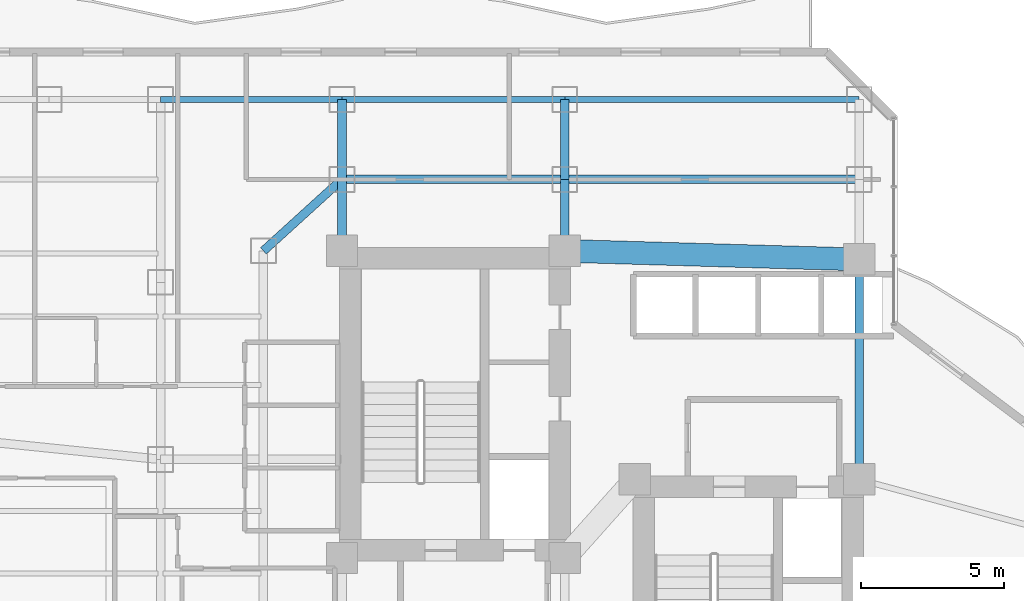
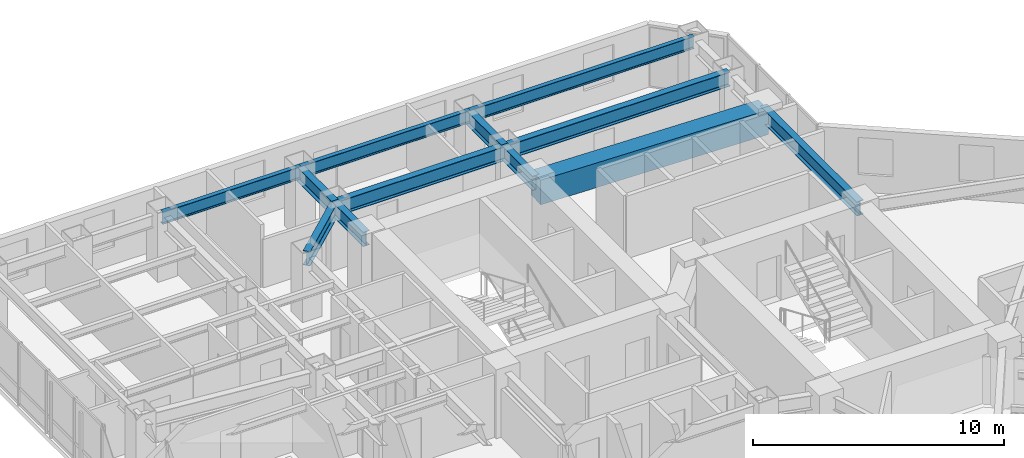
# One storey, part 24 of 36: 12 beams.
"""IFC4 building model written with IfcOpenShell, lengths in metres."""

from ifc_helpers import new_model, si_unit, direction, frame, origin, origin_2d, place, context, subcontext, project, spatial, rectangle, i_section, extrude, material, material_profile, profile_set, type_object, element, save


model = new_model("IFC4")

# Units and contexts
model_context = context("Model", 3, precision=1e-05, world=origin(), true_north=direction((0.0, 1.0)))
body_context = subcontext(model_context, "Body", "Model", "MODEL_VIEW")
ifc_project = project(units=[si_unit("LENGTHUNIT", "METRE"), si_unit("AREAUNIT", "SQUARE_METRE"), si_unit("VOLUMEUNIT", "CUBIC_METRE"), si_unit("PLANEANGLEUNIT", "RADIAN"), si_unit("MASSUNIT", "GRAM", prefix="KILO")], contexts=[model_context])

# Site, building, storey
site_placement = place(None, origin())
site = spatial("IfcSite", under=ifc_project, at=site_placement, CompositionType="ELEMENT")
building_placement = place(site_placement, origin())
building = spatial("IfcBuilding", under=site, at=building_placement, Name="Hatsunagi Terrace Concourse", CompositionType="ELEMENT")
storey_placement = place(building_placement, frame((0.0, 0.0, 88.0)))
storey = spatial("IfcBuildingStorey", under=building, at=storey_placement, Name="L23", CompositionType="ELEMENT", Elevation=88.0)

# Beams
ifc_material_1 = material(Name="Concrete Fc60", Category="concrete")
ifc_material_profile_1 = material_profile(ifc_material_1, rectangle(XDim=0.800048828125, YDim=1.199951171875, at=origin_2d()), Name="RC-800x1200")
ifc_profile_set_1 = profile_set([ifc_material_profile_1], Name="Concrete Fc60")
beam_type_1 = type_object("IfcBeamType", Name="CoreCouplingBeam_RC_800x1200", PredefinedType="BEAM", material=ifc_profile_set_1)
beam_1_placement = place(storey_placement, frame((33.35009765625, 43.300048828125, 2.449951171875), z_axis=(0.999575947545, -0.029119153303, 0.0), x_axis=(0.029119153303, 0.999575947545, 0.0)))
element("IfcBeam", 1, at=beam_1_placement, inside=storey, type_object=beam_type_1, Name="Beam CB-01 CB-L23-2", PredefinedType="BEAM", context=body_context, shape_type="SweptSolid", body=[
    extrude(rectangle(XDim=0.800048828125, YDim=1.199951171875, at=origin_2d()), origin(), (0.0, 0.0, 1.0), 10.30419921875),
])
ifc_material_2 = material(Name="Steel SN490B", Category="steel")
ifc_material_profile_2 = material_profile(ifc_material_2, i_section(OverallWidth=0.300048828125, OverallDepth=0.699951171875, WebThickness=0.012939453125, FlangeThickness=0.02392578125, FilletRadius=0.02197265625, at=origin_2d()), Name="H-700x300x13x24")
ifc_profile_set_2 = profile_set([ifc_material_profile_2], Name="Steel SN490B")
beam_type_2 = type_object("IfcBeamType", Name="HotelFloorGirder_H_700x300", PredefinedType="BEAM", material=ifc_profile_set_2)
beam_2_placement = place(storey_placement, frame((43.64990234375, 35.300048828125, 2.699951171875), z_axis=(0.0, 1.0, 0.0), x_axis=(-1.0, 0.0, 0.0)))
element("IfcBeam", 2, at=beam_2_placement, inside=storey, type_object=beam_type_2, Name="Beam G-04 BM-L23-CBK3", PredefinedType="BEAM", context=body_context, shape_type="SweptSolid", body=[
    extrude(i_section(OverallWidth=0.300048828125, OverallDepth=0.699951171875, WebThickness=0.012939453125, FlangeThickness=0.02392578125, FilletRadius=0.02197265625, at=origin_2d()), origin(), (0.0, 0.0, 1.0), 7.699951171875),
])
for number, where, z_axis, x_axis, name in (
    (3, (25.550048828125, 43.300048828125, 2.699951171875), (0.0, 1.0, 0.0), (-1.0, 0.0, 0.0), "Beam G-04 BM-L23-CN1"),
    (4, (33.35009765625, 43.300048828125, 2.699951171875), (0.0, 1.0, 0.0), (-1.0, 0.0, 0.0), "Beam G-04 BM-L23-CN2"),
):
    element("IfcBeam", number, at=place(storey_placement, frame(where, z_axis=z_axis, x_axis=x_axis)), inside=storey, type_object=beam_type_2, Name=name, PredefinedType="BEAM", context=body_context, shape_type="SweptSolid", body=[
        extrude(i_section(OverallWidth=0.300048828125, OverallDepth=0.699951171875, WebThickness=0.012939453125, FlangeThickness=0.02392578125, FilletRadius=0.02197265625, at=origin_2d()), origin(), (0.0, 0.0, 1.0), 2.5),
    ])
beam_3_placement = place(storey_placement, frame((25.550048828125, 45.800048828125, 2.699951171875), z_axis=(1.0, 0.0, 0.0), x_axis=(0.0, 1.0, 0.0)))
element("IfcBeam", 5, at=beam_3_placement, inside=storey, type_object=beam_type_2, Name="Beam G-04 BM-L23-CNEW1", PredefinedType="BEAM", context=body_context, shape_type="SweptSolid", body=[
    extrude(i_section(OverallWidth=0.300048828125, OverallDepth=0.699951171875, WebThickness=0.012939453125, FlangeThickness=0.02392578125, FilletRadius=0.02197265625, at=origin_2d()), origin(), (0.0, 0.0, 1.0), 7.800048828125),
])
beam_4_placement = place(storey_placement, frame((33.35009765625, 45.800048828125, 2.699951171875), z_axis=(1.0, 0.0, 0.0), x_axis=(0.0, 1.0, 0.0)))
element("IfcBeam", 6, at=beam_4_placement, inside=storey, type_object=beam_type_2, Name="Beam G-04 BM-L23-CNEW2", PredefinedType="BEAM", context=body_context, shape_type="SweptSolid", body=[
    extrude(i_section(OverallWidth=0.300048828125, OverallDepth=0.699951171875, WebThickness=0.012939453125, FlangeThickness=0.02392578125, FilletRadius=0.02197265625, at=origin_2d()), origin(), (0.0, 0.0, 1.0), 10.2998046875),
])
for number, where, z_axis, x_axis, name in (
    (7, (25.550048828125, 45.800048828125, 2.699951171875), (0.0, 1.0, 0.0), (-1.0, 0.0, 0.0), "Beam G-04 BM-L23-KN-WN4"),
    (8, (33.35009765625, 45.800048828125, 2.699951171875), (0.0, 1.0, 0.0), (-1.0, 0.0, 0.0), "Beam G-04 BM-L23-KN-WN5"),
):
    element("IfcBeam", number, at=place(storey_placement, frame(where, z_axis=z_axis, x_axis=x_axis)), inside=storey, type_object=beam_type_2, Name=name, PredefinedType="BEAM", context=body_context, shape_type="SweptSolid", body=[
        extrude(i_section(OverallWidth=0.300048828125, OverallDepth=0.699951171875, WebThickness=0.012939453125, FlangeThickness=0.02392578125, FilletRadius=0.02197265625, at=origin_2d()), origin(), (0.0, 0.0, 1.0), 2.800048828125),
    ])
beam_5_placement = place(storey_placement, frame((22.800048828125, 43.300048828125, 2.699951171875), z_axis=(0.739940073396, 0.672672793996, 0.0), x_axis=(-0.672672793996, 0.739940073396, 0.0)))
element("IfcBeam", 9, at=beam_5_placement, inside=storey, type_object=beam_type_2, Name="Beam G-04 BM-L23-CWEW-N", PredefinedType="BEAM", context=body_context, shape_type="SweptSolid", body=[
    extrude(i_section(OverallWidth=0.300048828125, OverallDepth=0.699951171875, WebThickness=0.012939453125, FlangeThickness=0.02392578125, FilletRadius=0.02197265625, at=origin_2d()), origin(), (0.0, 0.0, 1.0), 3.716552734375),
])
ifc_material_3 = material(Name="Steel SN490B", Category="steel")
ifc_material_profile_3 = material_profile(ifc_material_3, i_section(OverallWidth=0.199951171875, OverallDepth=0.60009765625, WebThickness=0.010986328125, FlangeThickness=0.01708984375, FilletRadius=0.01806640625, at=origin_2d()), Name="H-600x200x11x17")
ifc_profile_set_3 = profile_set([ifc_material_profile_3], Name="Steel SN490B")
beam_type_3 = type_object("IfcBeamType", Name="PerimeterSpandrel_H_600x200", PredefinedType="SPANDREL", material=ifc_profile_set_3)
beam_6_placement = place(storey_placement, frame((19.199951171875, 48.60009765625, 2.75), z_axis=(1.0, 0.0, 0.0), x_axis=(0.0, 1.0, 0.0)))
element("IfcBeam", 10, at=beam_6_placement, inside=storey, type_object=beam_type_3, Name="Beam SP-01 BM-L23-WN-19", PredefinedType="SPANDREL", context=body_context, shape_type="SweptSolid", body=[
    extrude(i_section(OverallWidth=0.199951171875, OverallDepth=0.60009765625, WebThickness=0.010986328125, FlangeThickness=0.01708984375, FilletRadius=0.01806640625, at=origin_2d()), origin(), (0.0, 0.0, 1.0), 6.35009765625),
])
beam_7_placement = place(storey_placement, frame((25.550048828125, 48.60009765625, 2.75), z_axis=(1.0, 0.0, 0.0), x_axis=(0.0, 1.0, 0.0)))
element("IfcBeam", 11, at=beam_7_placement, inside=storey, type_object=beam_type_3, Name="Beam SP-01 BM-L23-WN-25", PredefinedType="SPANDREL", context=body_context, shape_type="SweptSolid", body=[
    extrude(i_section(OverallWidth=0.199951171875, OverallDepth=0.60009765625, WebThickness=0.010986328125, FlangeThickness=0.01708984375, FilletRadius=0.01806640625, at=origin_2d()), origin(), (0.0, 0.0, 1.0), 7.800048828125),
])
beam_8_placement = place(storey_placement, frame((33.35009765625, 48.60009765625, 2.75), z_axis=(1.0, 0.0, 0.0), x_axis=(0.0, 1.0, 0.0)))
element("IfcBeam", 12, at=beam_8_placement, inside=storey, type_object=beam_type_3, Name="Beam SP-01 BM-L23-WN-33", PredefinedType="SPANDREL", context=body_context, shape_type="SweptSolid", body=[
    extrude(i_section(OverallWidth=0.199951171875, OverallDepth=0.60009765625, WebThickness=0.010986328125, FlangeThickness=0.01708984375, FilletRadius=0.01806640625, at=origin_2d()), origin(), (0.0, 0.0, 1.0), 10.2998046875),
])

save(model, "model.ifc")
